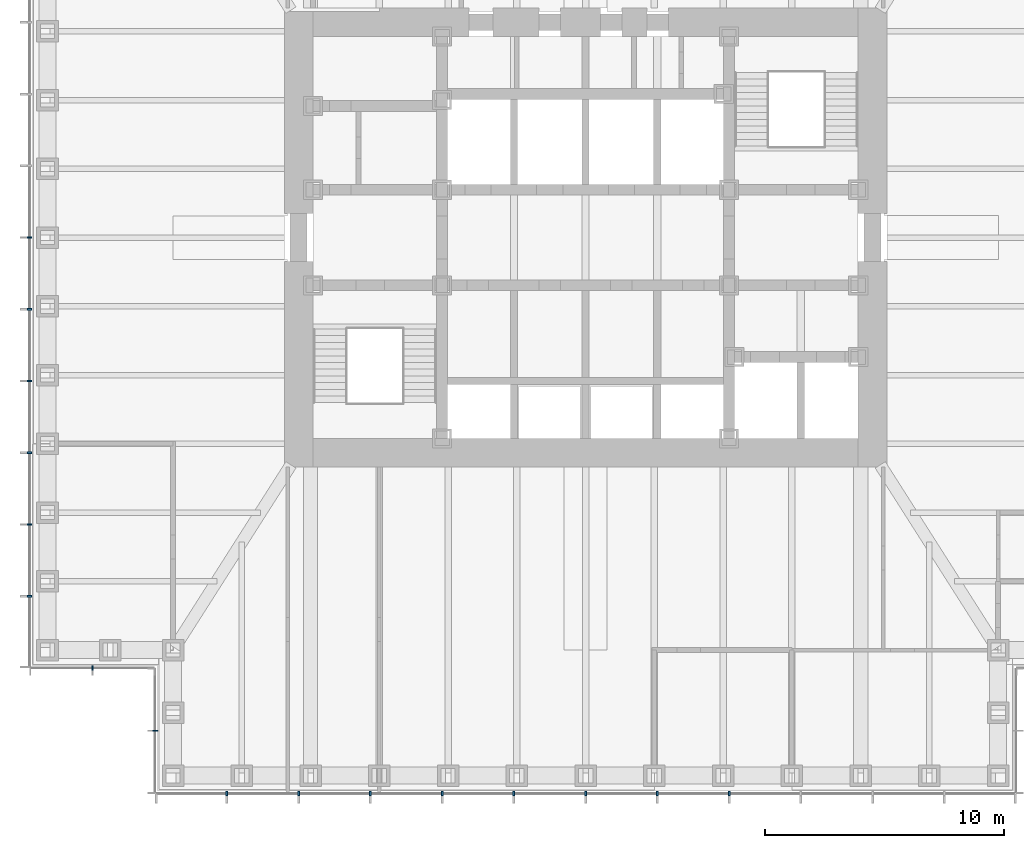
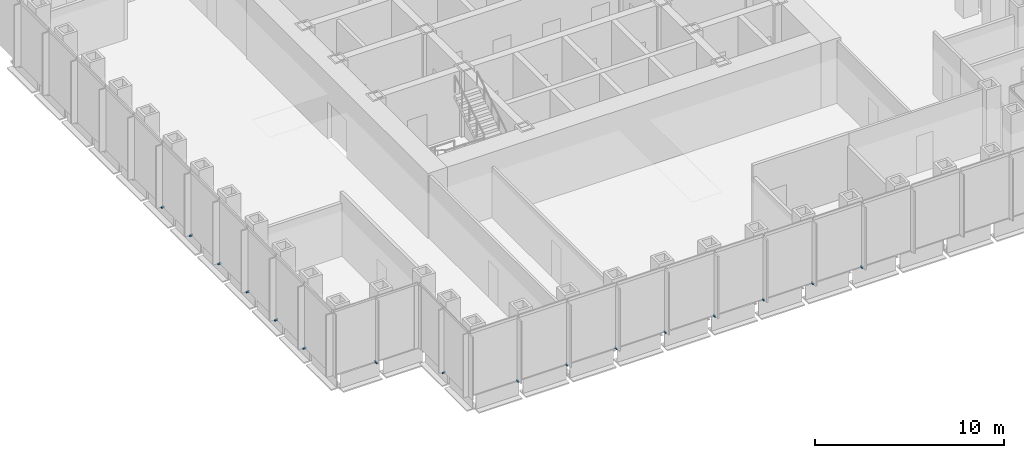
# One storey, part 12 of 17: 16 discrete accessories.
"""IFC4 building model written with IfcOpenShell, lengths in metres."""

import ifcopenshell
import ifcopenshell.guid

model = None  # the IFC model being written
_history = None  # IfcOwnerHistory: only IFC2X3 demands one
_inside = {}  # id of a spatial element -> (the spatial element, [elements in it])
_under = {}  # id of a project, library or spatial element -> (it, [spatial elements below it])
_declared = {}  # id of a project -> (the project, [libraries it declares])
_typed = {}  # id of a type object -> (the type object, [elements of that type])
_made_of = {}  # id of a material, layer set ... -> (it, [elements and type objects made of it])


def new_model(schema):
    """Start an empty IFC model of exactly this schema.

    Asked for "IFC4X3", IfcOpenShell would pick the latest addendum, in which some entities
    have other attributes; the version numbers below select the first issue.
    IFC2X3 requires an IfcOwnerHistory on every rooted entity: one is made here for all.
    """
    global model, _history
    if schema == "IFC4X3":
        model = ifcopenshell.file(schema_version=(4, 3, 0, 0))
    else:
        model = ifcopenshell.file(schema=schema)
    _inside.clear()
    _under.clear()
    _declared.clear()
    _typed.clear()
    _made_of.clear()
    _history = None
    if model.schema == "IFC2X3":
        org = make("IfcOrganization", Name="unknown")
        user = make(
            "IfcPersonAndOrganization",
            ThePerson=make("IfcPerson", FamilyName="unknown"),
            TheOrganization=org,
        )
        app = make(
            "IfcApplication",
            ApplicationDeveloper=org,
            Version="unknown",
            ApplicationFullName="unknown",
            ApplicationIdentifier="unknown",
        )
        _history = make(
            "IfcOwnerHistory",
            OwningUser=user,
            OwningApplication=app,
            ChangeAction="ADDED",
            CreationDate=0,
        )
    return model


def make(cls, **values):
    """One entity of the class cls with the attributes given. An attribute that is None is left unset."""
    return model.create_entity(
        cls, **{name: value for name, value in values.items() if value is not None}
    )


def rooted(cls, **values):
    """An entity with a GlobalId (a new one), such as an element, a storey or a relation."""
    return make(cls, GlobalId=ifcopenshell.guid.new(), OwnerHistory=_history, **values)


def si_unit(unit_type, name, prefix=None):
    """IfcSIUnit, for example si_unit("LENGTHUNIT", "METRE", prefix="MILLI")."""
    return make("IfcSIUnit", UnitType=unit_type, Prefix=prefix, Name=name)


def assignment(units):
    """IfcUnitAssignment: the units of a project."""
    return None if units is None else make("IfcUnitAssignment", Units=units)


def point(xyz):
    """IfcCartesianPoint."""
    return None if xyz is None else make("IfcCartesianPoint", Coordinates=xyz)


def direction(xyz):
    """IfcDirection."""
    return None if xyz is None else make("IfcDirection", DirectionRatios=xyz)


def frame(location, z_axis=None, x_axis=None):
    """IfcAxis2Placement3D, a coordinate frame: its origin and axes. An axis left out is left unset."""
    return make(
        "IfcAxis2Placement3D",
        Location=point(location),
        Axis=direction(z_axis),
        RefDirection=direction(x_axis),
    )


def frame_2d(location, x_axis=None):
    """IfcAxis2Placement2D, a coordinate frame in the plane: its origin and x axis."""
    return make(
        "IfcAxis2Placement2D", Location=point(location), RefDirection=direction(x_axis)
    )


def origin():
    """The frame at (0, 0, 0) with its axes left unset."""
    return frame((0.0, 0.0, 0.0))


def origin_2d():
    """The frame at (0, 0) in the plane with its x axis left unset."""
    return frame_2d((0.0, 0.0))


def place(relative_to, where):
    """IfcLocalPlacement: puts the frame where relative to a parent placement (None: the world)."""
    return make(
        "IfcLocalPlacement", PlacementRelTo=relative_to, RelativePlacement=where
    )


def context(
    kind, dimensions, precision=None, world=None, true_north=None, identifier=None
):
    """IfcGeometricRepresentationContext, for example the 3D "Model" context."""
    return make(
        "IfcGeometricRepresentationContext",
        ContextIdentifier=identifier,
        ContextType=kind,
        CoordinateSpaceDimension=dimensions,
        Precision=precision,
        WorldCoordinateSystem=world,
        TrueNorth=true_north,
    )


def subcontext(parent, identifier, kind, view, scale=None):
    """IfcGeometricRepresentationSubContext, for example "Body" below "Model"."""
    return make(
        "IfcGeometricRepresentationSubContext",
        ContextIdentifier=identifier,
        ContextType=kind,
        ParentContext=parent,
        TargetScale=scale,
        TargetView=view,
    )


def project(units=None, contexts=None):
    """IfcProject with its units and contexts."""
    return rooted(
        "IfcProject",
        Name="project",
        RepresentationContexts=contexts,
        UnitsInContext=assignment(units),
    )


def spatial(cls, under=None, at=None, **own):
    """A site, building, storey or space (cls), placed at a placement, below another one or the project."""
    s = rooted(cls, ObjectPlacement=at, **own)
    if under is not None:
        _under.setdefault(under.id(), (under, []))[1].append(s)
    return s


def profile(cls, at=None, kind="AREA", **sizes):
    """A parametric profile (cls). Its sizes go by their IFC names, for example OverallWidth=200.0."""
    return make(cls, ProfileType=kind, Position=at, **sizes)


def rectangle(**sizes):
    """IfcRectangleProfileDef."""
    return profile("IfcRectangleProfileDef", **sizes)


def extrude(swept, where, along, depth):
    """IfcExtrudedAreaSolid: the profile swept, set in the frame where, extruded along a direction by depth."""
    return make(
        "IfcExtrudedAreaSolid",
        SweptArea=swept,
        Position=where,
        ExtrudedDirection=direction(along),
        Depth=depth,
    )


def shape(context_of_items, identifier, shape_type, items):
    """IfcShapeRepresentation: the items that make up one representation, for example the "Body"."""
    return make(
        "IfcShapeRepresentation",
        ContextOfItems=context_of_items,
        RepresentationIdentifier=identifier,
        RepresentationType=shape_type,
        Items=items,
    )


def made_of(thing, what):
    """Note that an element or type object is made of a material, layer set ...; save() writes the relation."""
    if what is not None:
        _made_of.setdefault(what.id(), (what, []))[1].append(thing)
    return thing


def element(
    cls,
    number,
    at=None,
    inside=None,
    cuts=None,
    type_object=None,
    material=None,
    context=None,
    identifier="Body",
    shape_type=None,
    held_by="IfcProductDefinitionShape",
    body=None,
    shapes=None,
    **own,
):
    """One element of the class cls, such as IfcWall. Its Tag is "e" and its number.

    at: its placement. inside: the storey or other place that contains it. cuts: it is an
    opening in that element (IfcRelVoidsElement). A single representation is given by context,
    identifier, shape_type and body (its items); several are given by shapes. held_by: the class
    of the entity that holds the representations. save() writes the other relations.
    """
    e = rooted(cls, Tag="e%d" % number, ObjectPlacement=at, **own)
    if body is not None:
        shapes = [shape(context, identifier, shape_type, body)]
    if shapes is not None:
        e.Representation = make(held_by, Representations=shapes)
    if inside is not None:
        _inside.setdefault(inside.id(), (inside, []))[1].append(e)
    if cuts is not None:
        rooted(
            "IfcRelVoidsElement", RelatingBuildingElement=cuts, RelatedOpeningElement=e
        )
    if type_object is not None:
        _typed.setdefault(type_object.id(), (type_object, []))[1].append(e)
    return made_of(e, material)


def aggregate(whole, parts):
    """IfcRelAggregates: a whole, such as a stair, and the parts it consists of."""
    return rooted("IfcRelAggregates", RelatingObject=whole, RelatedObjects=parts)


def save(model, path):
    """Write the relations noted so far, then the file.

    IfcRelAggregates (storeys below a building ...), IfcRelContainedInSpatialStructure (elements
    in a storey), IfcRelDefinesByType, IfcRelAssociatesMaterial and IfcRelDeclares: one each for
    every whole, place, type object, material and project.
    """
    for whole, parts in _under.values():
        aggregate(whole, parts)
    for where, things in _inside.values():
        rooted(
            "IfcRelContainedInSpatialStructure",
            RelatedElements=things,
            RelatingStructure=where,
        )
    for kind, things in _typed.values():
        rooted("IfcRelDefinesByType", RelatedObjects=things, RelatingType=kind)
    for what, things in _made_of.values():
        rooted("IfcRelAssociatesMaterial", RelatedObjects=things, RelatingMaterial=what)
    for by, libraries in _declared.values():
        rooted("IfcRelDeclares", RelatingContext=by, RelatedDefinitions=libraries)
    model.write(path)


model = new_model("IFC4")

# Units and contexts
model_context = context("Model", 3, precision=1e-05, world=origin(), true_north=direction((0.0, 1.0)))
body_context = subcontext(model_context, "Body", "Model", "MODEL_VIEW")
ifc_project = project(units=[si_unit("LENGTHUNIT", "METRE"), si_unit("AREAUNIT", "SQUARE_METRE"), si_unit("VOLUMEUNIT", "CUBIC_METRE"), si_unit("PLANEANGLEUNIT", "RADIAN"), si_unit("MASSUNIT", "GRAM", prefix="KILO")], contexts=[model_context])

# Site, building, storey
site_placement = place(None, origin())
site = spatial("IfcSite", under=ifc_project, at=site_placement, CompositionType="ELEMENT")
building_placement = place(site_placement, origin())
building = spatial("IfcBuilding", under=site, at=building_placement, Name="Daluyong Arena Tower", CompositionType="ELEMENT")
storey_placement = place(building_placement, frame((0.0, 0.0, 124.89990234375)))
storey = spatial("IfcBuildingStorey", under=building, at=storey_placement, Name="L27", CompositionType="ELEMENT", Elevation=124.89990234375)

# Discrete accessories
for number, where, z_axis, x_axis, name in (
    (1, (41.0, 56.75, -0.099853515625), (0.0, 0.0, 1.0), (1.0, 0.0, 0.0), "curtain wall L27 S anchor bracket 2"),
    (2, (44.0, 56.75, -0.099853515625), (0.0, 0.0, 1.0), (1.0, 0.0, 0.0), "curtain wall L27 S anchor bracket 3"),
    (3, (47.0, 56.75, -0.099853515625), (0.0, 0.0, 1.0), (1.0, 0.0, 0.0), "curtain wall L27 S anchor bracket 4"),
    (4, (50.0, 56.75, -0.099853515625), (0.0, 0.0, 1.0), (1.0, 0.0, 0.0), "curtain wall L27 S anchor bracket 5"),
    (5, (53.0, 56.75, -0.099853515625), (0.0, 0.0, 1.0), (1.0, 0.0, 0.0), "curtain wall L27 S anchor bracket 6"),
    (6, (56.0, 56.75, -0.099853515625), (0.0, 0.0, 1.0), (1.0, 0.0, 0.0), "curtain wall L27 S anchor bracket 7"),
    (7, (59.0, 56.75, -0.099853515625), (0.0, 0.0, 1.0), (1.0, 0.0, 0.0), "curtain wall L27 S anchor bracket 8"),
    (8, (62.0, 56.75, -0.099853515625), (0.0, 0.0, 1.0), (1.0, 0.0, 0.0), "curtain wall L27 S anchor bracket 9"),
    (9, (32.75, 80.0, -0.099853515625), (0.0, 0.0, 1.0), (0.0, -1.0, 0.0), "curtain wall L27 W anchor bracket 7"),
    (10, (32.75, 77.0, -0.099853515625), (0.0, 0.0, 1.0), (0.0, -1.0, 0.0), "curtain wall L27 W anchor bracket 8"),
    (11, (32.75, 74.0, -0.099853515625), (0.0, 0.0, 1.0), (0.0, -1.0, 0.0), "curtain wall L27 W anchor bracket 9"),
    (12, (32.75, 71.0, -0.099853515625), (0.0, 0.0, 1.0), (0.0, -1.0, 0.0), "curtain wall L27 W anchor bracket 10"),
    (13, (32.75, 68.0, -0.099853515625), (0.0, 0.0, 1.0), (0.0, -1.0, 0.0), "curtain wall L27 W anchor bracket 11"),
    (14, (32.75, 65.0, -0.099853515625), (0.0, 0.0, 1.0), (0.0, -1.0, 0.0), "curtain wall L27 W anchor bracket 12"),
):
    element("IfcDiscreteAccessory", number, at=place(storey_placement, frame(where, z_axis=z_axis, x_axis=x_axis)), inside=storey, Name=name, PredefinedType="BRACKET", context=body_context, shape_type="SweptSolid", body=[
        extrude(rectangle(XDim=0.080078125, YDim=0.199951171875, at=origin_2d()), origin(), (0.0, 0.0, 1.0), 0.10009765625),
    ])
for number, where, z_axis, x_axis, name in (
    (15, (35.375, 62.0, -0.099853515625), (0.0, 0.0, 1.0), (1.0, 0.0, 0.0), "curtain wall L27 SW-S anchor bracket 2"),
    (16, (38.0, 59.375, -0.099853515625), (0.0, 0.0, 1.0), (0.0, -1.0, 0.0), "curtain wall L27 SW-W anchor bracket 2"),
):
    element("IfcDiscreteAccessory", number, at=place(storey_placement, frame(where, z_axis=z_axis, x_axis=x_axis)), inside=storey, Name=name, PredefinedType="BRACKET", context=body_context, shape_type="SweptSolid", body=[
        extrude(rectangle(XDim=0.06005859375, YDim=0.199951171875, at=origin_2d()), origin(), (0.0, 0.0, 1.0), 0.10009765625),
    ])

save(model, "model.ifc")
